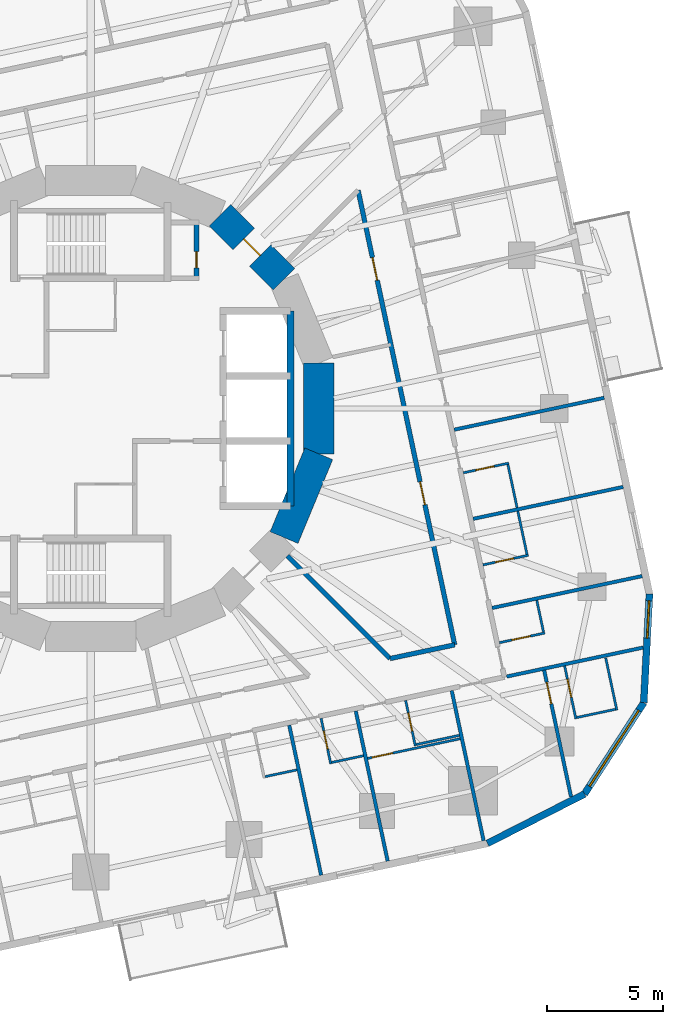
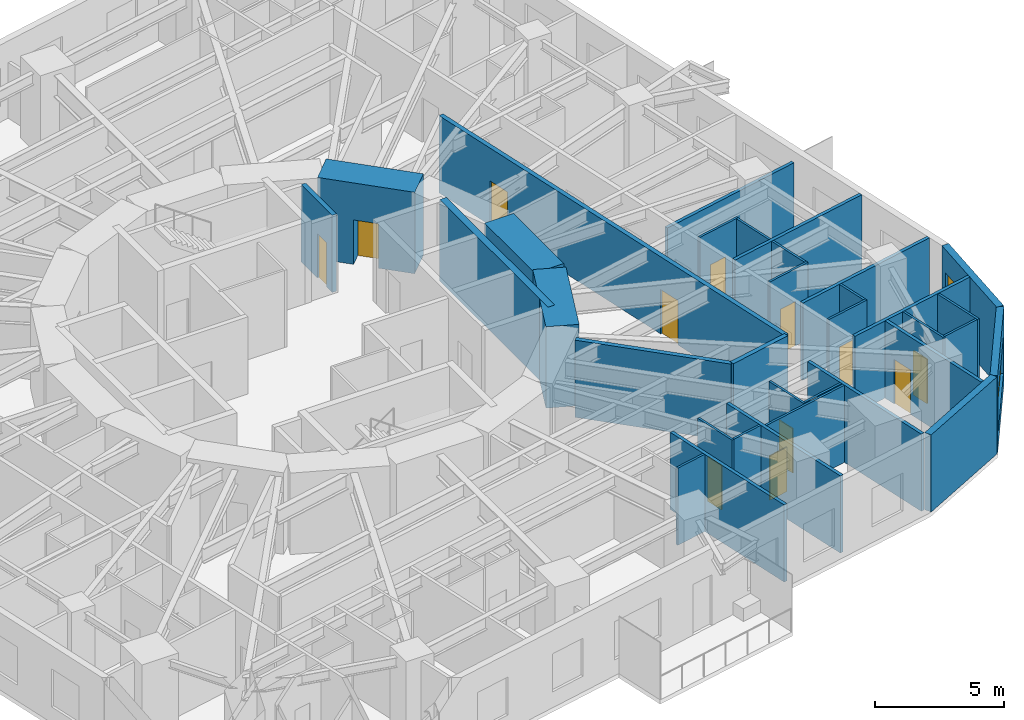
# One storey, part 8 of 14: 34 walls, 12 doors, 2 windows, 14 openings.
"""IFC4 building model written with IfcOpenShell, lengths in metres."""

from ifc_helpers import new_model, si_unit, direction, frame, frame_2d, origin, place, context, subcontext, project, spatial, rectangle, extrude, material, layer, layer_set, type_object, element, fill, save


model = new_model("IFC4")

# Units and contexts
model_context = context("Model", 3, precision=1e-05, world=origin(), true_north=direction((0.0, 1.0)))
body_context = subcontext(model_context, "Body", "Model", "MODEL_VIEW")
ifc_project = project(units=[si_unit("LENGTHUNIT", "METRE"), si_unit("AREAUNIT", "SQUARE_METRE"), si_unit("VOLUMEUNIT", "CUBIC_METRE"), si_unit("PLANEANGLEUNIT", "RADIAN"), si_unit("MASSUNIT", "GRAM", prefix="KILO")], contexts=[model_context])

# Site, building, storey
site_placement = place(None, origin())
site = spatial("IfcSite", under=ifc_project, at=site_placement, CompositionType="ELEMENT")
building_placement = place(site_placement, origin())
building = spatial("IfcBuilding", under=site, at=building_placement, Name="Nakasero Lantern House", CompositionType="ELEMENT")
storey_placement = place(building_placement, frame((0.0, 0.0, 124.25)))
storey = spatial("IfcBuildingStorey", under=building, at=storey_placement, Name="L30", CompositionType="ELEMENT", Elevation=124.25)

# Wall
ifc_material_1 = material(Name="Concrete C50/60", Category="concrete")
ifc_layer_1 = layer(ifc_material_1, 0.300048828125)
ifc_layer_set_1 = layer_set([ifc_layer_1], Name="Core inner wall 300")
wall_type_1 = type_object("IfcWallType", Name="Core inner wall 300", PredefinedType="SHEAR", material=ifc_layer_set_1)
wall_1_placement = place(storey_placement, frame((8.60009765625, -4.199951171875, 0.0), z_axis=(0.0, 0.0, 1.0), x_axis=(0.0, 1.0, 0.0)))
element("IfcWall", 1, at=wall_1_placement, inside=storey, type_object=wall_type_1, Name="Core inner wall L30 LEB", PredefinedType="SHEAR", context=body_context, shape_type="SweptSolid", body=[
    extrude(rectangle(XDim=8.39990234375, YDim=0.300048828125, at=frame_2d((4.199951171875, 0.0))), origin(), (0.0, 0.0, 1.0), 3.85009765625),
])

# Wall, opening, door
ifc_material_2 = material(Name="Concrete C50/60", Category="concrete")
ifc_layer_2 = layer(ifc_material_2, 1.300048828125)
ifc_layer_set_2 = layer_set([ifc_layer_2], Name="Core wall 1300")
wall_type_2 = type_object("IfcWallType", Name="Core wall 1300", PredefinedType="SHEAR", material=ifc_layer_set_2)
wall_2_placement = place(storey_placement, frame((8.314697265625, 5.5556640625, 0.0), z_axis=(0.0, 0.0, 1.0), x_axis=(-0.707106781187, 0.707106781187, 0.0)))
wall_2 = element("IfcWall", 2, at=wall_2_placement, inside=storey, type_object=wall_type_2, Name="Core wall L30 facet 2", PredefinedType="SHEAR", context=body_context, shape_type="SweptSolid", body=[
    extrude(rectangle(XDim=3.90185546875, YDim=1.300048828125, at=frame_2d((1.950927734375, 0.0))), origin(), (0.0, 0.0, 1.0), 3.85009765625),
])
opening_1_placement = place(wall_2_placement, frame((1.450927734375, 0.0, 0.0)))
opening_1 = element("IfcOpeningElement", 3, at=opening_1_placement, cuts=wall_2, Name="Opening D05", PredefinedType="OPENING", context=body_context, shape_type="SweptSolid", body=[
    extrude(rectangle(XDim=1.0, YDim=2.10009765625, at=frame_2d((0.5, 1.050048828125))), frame((0.0, 0.669921875, 0.0), z_axis=(0.0, -1.0, 0.0), x_axis=(1.0, 0.0, 0.0)), (0.0, 0.0, 1.0), 1.340087890625),
])
ifc_material_3 = material(Name="Timber C24", Category="wood")
door_type_1 = type_object("IfcDoorType", Name="Core door FD60S 1000", OperationType="SINGLE_SWING_LEFT", PredefinedType="DOOR", material=ifc_material_3)
door_1_placement = place(opening_1_placement, origin())
door_1 = element("IfcDoor", 4, at=door_1_placement, inside=storey, type_object=door_type_1, Name="Door L30 D-CORE02", OperationType="SINGLE_SWING_LEFT", OverallHeight=2.10009765625, OverallWidth=1.0, PredefinedType="DOOR", context=body_context, shape_type="SweptSolid", body=[
    extrude(rectangle(XDim=1.0, YDim=2.10009765625, at=frame_2d((0.5, 1.050048828125))), frame((0.0, 0.02490234375, 0.0), z_axis=(0.0, -1.0, 0.0), x_axis=(1.0, 0.0, 0.0)), (0.0, 0.0, 1.0), 0.050048828125),
])
fill(opening_1, door_1)

# Walls
for number, where, z_axis, x_axis, name in (
    (5, (8.314697265625, -5.5556640625, 0.0), (0.0, 0.0, 1.0), (0.382690736062, 0.923876507187, 0.0), "Core wall L30 facet 15"),
    (6, (9.807861328125, -1.950927734375, 0.0), (0.0, 0.0, 1.0), (0.0, 1.0, 0.0), "Core wall L30 facet 16"),
):
    element("IfcWall", number, at=place(storey_placement, frame(where, z_axis=z_axis, x_axis=x_axis)), inside=storey, type_object=wall_type_2, Name=name, PredefinedType="SHEAR", context=body_context, shape_type="SweptSolid", body=[
        extrude(rectangle(XDim=3.90185546875, YDim=1.300048828125, at=frame_2d((1.950927734375, 0.0))), origin(), (0.0, 0.0, 1.0), 3.85009765625),
    ])

# Wall, openings, doors
ifc_material_4 = material(Name="Blockwork", Category="masonry")
ifc_layer_3 = layer(ifc_material_4, 0.199951171875)
ifc_layer_set_3 = layer_set([ifc_layer_3], Name="Corridor wall 200")
wall_type_3 = type_object("IfcWallType", Name="Corridor wall 200", PredefinedType="PARTITIONING", material=ifc_layer_set_3)
wall_3_placement = place(storey_placement, frame((15.656005859375, -10.1669921875, 0.0), z_axis=(0.0, 0.0, 1.0), x_axis=(-0.20791018816, 0.978147920132, 0.0)))
wall_3 = element("IfcWall", 7, at=wall_3_placement, inside=storey, type_object=wall_type_3, Name="Corridor wall L30 IW0-0", PredefinedType="PARTITIONING", context=body_context, shape_type="SweptSolid", body=[
    extrude(rectangle(XDim=19.983642578125, YDim=0.199951171875, at=frame_2d((9.99169921875, 0.0))), origin(), (0.0, 0.0, 1.0), 3.64990234375),
])
opening_2_placement = place(wall_3_placement, frame((6.162353515625, 0.0, 0.0)))
opening_2 = element("IfcOpeningElement", 8, at=opening_2_placement, cuts=wall_3, Name="Opening D07", PredefinedType="OPENING", context=body_context, shape_type="SweptSolid", body=[
    extrude(rectangle(XDim=1.0, YDim=2.10009765625, at=frame_2d((0.5, 1.050048828125))), frame((0.0, 0.119873046875, 0.0), z_axis=(0.0, -1.0, 0.0), x_axis=(1.0, 0.0, 0.0)), (0.0, 0.0, 1.0), 0.239990234375),
])
opening_3_placement = place(wall_3_placement, frame((16.029296875, 0.0, 0.0)))
opening_3 = element("IfcOpeningElement", 9, at=opening_3_placement, cuts=wall_3, Name="Opening D07", PredefinedType="OPENING", context=body_context, shape_type="SweptSolid", body=[
    extrude(rectangle(XDim=1.0, YDim=2.10009765625, at=frame_2d((0.5, 1.050048828125))), frame((0.0, 0.119873046875, 0.0), z_axis=(0.0, -1.0, 0.0), x_axis=(1.0, 0.0, 0.0)), (0.0, 0.0, 1.0), 0.239990234375),
])
ifc_material_5 = material(Name="Timber C24", Category="wood")
door_type_2 = type_object("IfcDoorType", Name="Room door FD30S 1000", OperationType="SINGLE_SWING_LEFT", PredefinedType="DOOR", material=ifc_material_5)
door_2_placement = place(opening_2_placement, origin())
door_2 = element("IfcDoor", 10, at=door_2_placement, inside=storey, type_object=door_type_2, Name="Door L30 DI3", OperationType="SINGLE_SWING_LEFT", OverallHeight=2.10009765625, OverallWidth=1.0, PredefinedType="DOOR", context=body_context, shape_type="SweptSolid", body=[
    extrude(rectangle(XDim=1.0, YDim=2.10009765625, at=frame_2d((0.5, 1.050048828125))), frame((0.0, 0.02490234375, 0.0), z_axis=(0.0, -1.0, 0.0), x_axis=(1.0, 0.0, 0.0)), (0.0, 0.0, 1.0), 0.050048828125),
])
fill(opening_2, door_2)
door_3_placement = place(opening_3_placement, origin())
door_3 = element("IfcDoor", 11, at=door_3_placement, inside=storey, type_object=door_type_2, Name="Door L30 DI4", OperationType="SINGLE_SWING_RIGHT", OverallHeight=2.10009765625, OverallWidth=1.0, PredefinedType="DOOR", context=body_context, shape_type="SweptSolid", body=[
    extrude(rectangle(XDim=1.0, YDim=2.10009765625, at=frame_2d((0.5, 1.050048828125))), frame((0.0, 0.02490234375, 0.0), z_axis=(0.0, -1.0, 0.0), x_axis=(1.0, 0.0, 0.0)), (0.0, 0.0, 1.0), 0.050048828125),
])
fill(opening_3, door_3)

# Walls
wall_4_placement = place(storey_placement, frame((12.878662109375, -10.75732421875, 0.0), z_axis=(0.0, 0.0, 1.0), x_axis=(0.97814836043, 0.207908116695, 0.0)))
element("IfcWall", 12, at=wall_4_placement, inside=storey, type_object=wall_type_3, Name="Corridor wall L30 IW3-1", PredefinedType="PARTITIONING", context=body_context, shape_type="SweptSolid", body=[
    extrude(rectangle(XDim=2.83935546875, YDim=0.199951171875, at=frame_2d((1.419677734375, 0.0))), origin(), (0.0, 0.0, 1.0), 3.64990234375),
])
wall_5_placement = place(storey_placement, frame((8.45556640625, -6.334228515625, 0.0), z_axis=(0.0, 0.0, 1.0), x_axis=(0.707106781187, -0.707106781187, 0.0)))
element("IfcWall", 13, at=wall_5_placement, inside=storey, type_object=wall_type_3, Name="Corridor wall L30 PS14a", PredefinedType="PARTITIONING", context=body_context, shape_type="SweptSolid", body=[
    extrude(rectangle(XDim=6.255126953125, YDim=0.199951171875, at=frame_2d((3.12744140625, 0.0))), origin(), (0.0, 0.0, 1.0), 3.64990234375),
])

# Wall, opening, door
ifc_material_6 = material(Name="Blockwork", Category="masonry")
ifc_layer_4 = layer(ifc_material_6, 0.10009765625)
ifc_layer_set_4 = layer_set([ifc_layer_4], Name="En-suite wall 100")
wall_type_4 = type_object("IfcWallType", Name="En-suite wall 100", PredefinedType="PARTITIONING", material=ifc_layer_set_4)
wall_6_placement = place(storey_placement, frame((17.57861328125, -10.07421875, 0.0), z_axis=(0.0, 0.0, 1.0), x_axis=(0.978152955943, 0.207886494942, 0.0)))
wall_6 = element("IfcWall", 14, at=wall_6_placement, inside=storey, type_object=wall_type_4, Name="En-suite wall L30 ES0-00", PredefinedType="PARTITIONING", context=body_context, shape_type="SweptSolid", body=[
    extrude(rectangle(XDim=2.0, YDim=0.10009765625, at=frame_2d((1.0, 0.0))), origin(), (0.0, 0.0, 1.0), 3.64990234375),
])
opening_4_placement = place(wall_6_placement, frame((0.550048828125, 0.0, 0.0)))
opening_4 = element("IfcOpeningElement", 15, at=opening_4_placement, cuts=wall_6, Name="Opening D02", PredefinedType="OPENING", context=body_context, shape_type="SweptSolid", body=[
    extrude(rectangle(XDim=0.800048828125, YDim=2.10009765625, at=frame_2d((0.39990234375, 1.050048828125))), frame((0.0, 0.070068359375, 0.0), z_axis=(0.0, -1.0, 0.0), x_axis=(1.0, 0.0, 0.0)), (0.0, 0.0, 1.0), 0.14013671875),
])
ifc_material_7 = material(Name="Timber C24", Category="wood")
door_type_3 = type_object("IfcDoorType", Name="En-suite door 800", OperationType="SINGLE_SWING_RIGHT", PredefinedType="DOOR", material=ifc_material_7)
door_4_placement = place(opening_4_placement, origin())
door_4 = element("IfcDoor", 16, at=door_4_placement, inside=storey, type_object=door_type_3, Name="Door L30 DE0-00", OperationType="SINGLE_SWING_LEFT", OverallHeight=2.10009765625, OverallWidth=0.800048828125, PredefinedType="DOOR", context=body_context, shape_type="SweptSolid", body=[
    extrude(rectangle(XDim=0.800048828125, YDim=2.10009765625, at=frame_2d((0.39990234375, 1.050048828125))), frame((0.0, 0.02490234375, 0.0), z_axis=(0.0, -1.0, 0.0), x_axis=(1.0, 0.0, 0.0)), (0.0, 0.0, 1.0), 0.050048828125),
])
fill(opening_4, door_4)

# Wall
wall_7_placement = place(storey_placement, frame((19.4755859375, -9.619873046875, 0.0), z_axis=(0.0, 0.0, 1.0), x_axis=(-0.207873355681, 0.978155748334, 0.0)))
element("IfcWall", 17, at=wall_7_placement, inside=storey, type_object=wall_type_4, Name="En-suite wall L30 EE0-00", PredefinedType="PARTITIONING", context=body_context, shape_type="SweptSolid", body=[
    extrude(rectangle(XDim=1.39990234375, YDim=0.10009765625, at=frame_2d((0.699951171875, 0.0))), origin(), (0.0, 0.0, 1.0), 3.64990234375),
])

# Wall, opening, door
wall_8_placement = place(storey_placement, frame((16.86767578125, -6.7294921875, 0.0), z_axis=(0.0, 0.0, 1.0), x_axis=(0.978128127149, 0.208003285743, 0.0)))
wall_8 = element("IfcWall", 18, at=wall_8_placement, inside=storey, type_object=wall_type_4, Name="En-suite wall L30 ES0-01", PredefinedType="PARTITIONING", context=body_context, shape_type="SweptSolid", body=[
    extrude(rectangle(XDim=2.0, YDim=0.10009765625, at=frame_2d((1.0, 0.0))), origin(), (0.0, 0.0, 1.0), 3.64990234375),
])
opening_5_placement = place(wall_8_placement, frame((0.550048828125, 0.0, 0.0)))
opening_5 = element("IfcOpeningElement", 19, at=opening_5_placement, cuts=wall_8, Name="Opening D02", PredefinedType="OPENING", context=body_context, shape_type="SweptSolid", body=[
    extrude(rectangle(XDim=0.800048828125, YDim=2.10009765625, at=frame_2d((0.39990234375, 1.050048828125))), frame((0.0, 0.070068359375, 0.0), z_axis=(0.0, -1.0, 0.0), x_axis=(1.0, 0.0, 0.0)), (0.0, 0.0, 1.0), 0.14013671875),
])
door_5_placement = place(opening_5_placement, origin())
door_5 = element("IfcDoor", 20, at=door_5_placement, inside=storey, type_object=door_type_3, Name="Door L30 DE0-01", OperationType="SINGLE_SWING_LEFT", OverallHeight=2.10009765625, OverallWidth=0.800048828125, PredefinedType="DOOR", context=body_context, shape_type="SweptSolid", body=[
    extrude(rectangle(XDim=0.800048828125, YDim=2.10009765625, at=frame_2d((0.39990234375, 1.050048828125))), frame((0.0, 0.02490234375, 0.0), z_axis=(0.0, -1.0, 0.0), x_axis=(1.0, 0.0, 0.0)), (0.0, 0.0, 1.0), 0.050048828125),
])
fill(opening_5, door_5)

# Wall
wall_9_placement = place(storey_placement, frame((18.7646484375, -6.275146484375, 0.0), z_axis=(0.0, 0.0, 1.0), x_axis=(-0.207887952389, 0.978152646192, 0.0)))
element("IfcWall", 21, at=wall_9_placement, inside=storey, type_object=wall_type_4, Name="En-suite wall L30 EE0-01", PredefinedType="PARTITIONING", context=body_context, shape_type="SweptSolid", body=[
    extrude(rectangle(XDim=1.900146484375, YDim=0.10009765625, at=frame_2d((0.9501953125, 0.0))), origin(), (0.0, 0.0, 1.0), 3.64990234375),
])

# Wall, opening, door
wall_10_placement = place(storey_placement, frame((16.025634765625, -2.767822265625, 0.0), z_axis=(0.0, 0.0, 1.0), x_axis=(0.978152955943, 0.207886494942, 0.0)))
wall_10 = element("IfcWall", 22, at=wall_10_placement, inside=storey, type_object=wall_type_4, Name="En-suite wall L30 ES0-02", PredefinedType="PARTITIONING", context=body_context, shape_type="SweptSolid", body=[
    extrude(rectangle(XDim=2.0, YDim=0.10009765625, at=frame_2d((1.0, 0.0))), origin(), (0.0, 0.0, 1.0), 3.64990234375),
])
opening_6_placement = place(wall_10_placement, frame((0.550048828125, 0.0, 0.0)))
opening_6 = element("IfcOpeningElement", 23, at=opening_6_placement, cuts=wall_10, Name="Opening D02", PredefinedType="OPENING", context=body_context, shape_type="SweptSolid", body=[
    extrude(rectangle(XDim=0.800048828125, YDim=2.10009765625, at=frame_2d((0.39990234375, 1.050048828125))), frame((0.0, 0.070068359375, 0.0), z_axis=(0.0, -1.0, 0.0), x_axis=(1.0, 0.0, 0.0)), (0.0, 0.0, 1.0), 0.14013671875),
])
door_6_placement = place(opening_6_placement, origin())
door_6 = element("IfcDoor", 24, at=door_6_placement, inside=storey, type_object=door_type_3, Name="Door L30 DE0-02", OperationType="SINGLE_SWING_LEFT", OverallHeight=2.10009765625, OverallWidth=0.800048828125, PredefinedType="DOOR", context=body_context, shape_type="SweptSolid", body=[
    extrude(rectangle(XDim=0.800048828125, YDim=2.10009765625, at=frame_2d((0.39990234375, 1.050048828125))), frame((0.0, 0.02490234375, 0.0), z_axis=(0.0, -1.0, 0.0), x_axis=(1.0, 0.0, 0.0)), (0.0, 0.0, 1.0), 0.050048828125),
])
fill(opening_6, door_6)

# Walls
wall_11_placement = place(storey_placement, frame((18.33837890625, -4.269775390625, 0.0), z_axis=(0.0, 0.0, 1.0), x_axis=(-0.207914082431, 0.978147092378, 0.0)))
element("IfcWall", 25, at=wall_11_placement, inside=storey, type_object=wall_type_4, Name="En-suite wall L30 EE0-02", PredefinedType="PARTITIONING", context=body_context, shape_type="SweptSolid", body=[
    extrude(rectangle(XDim=1.89990234375, YDim=0.10009765625, at=frame_2d((0.949951171875, 0.0))), origin(), (0.0, 0.0, 1.0), 3.64990234375),
])
wall_12_placement = place(storey_placement, frame((7.50048828125, -15.836669921875, 0.0), z_axis=(0.0, 0.0, 1.0), x_axis=(0.978155748334, 0.207873355681, 0.0)))
element("IfcWall", 26, at=wall_12_placement, inside=storey, type_object=wall_type_4, Name="En-suite wall L30 EE3-05", PredefinedType="PARTITIONING", context=body_context, shape_type="SweptSolid", body=[
    extrude(rectangle(XDim=1.39990234375, YDim=0.10009765625, at=frame_2d((0.699951171875, 0.0))), origin(), (0.0, 0.0, 1.0), 3.64990234375),
])

# Wall, opening, door
wall_13_placement = place(storey_placement, frame((9.908447265625, -13.331298828125, 0.0), z_axis=(0.0, 0.0, 1.0), x_axis=(0.208003285743, -0.978128127149, 0.0)))
wall_13 = element("IfcWall", 27, at=wall_13_placement, inside=storey, type_object=wall_type_4, Name="En-suite wall L30 ES3-06", PredefinedType="PARTITIONING", context=body_context, shape_type="SweptSolid", body=[
    extrude(rectangle(XDim=2.0, YDim=0.10009765625, at=frame_2d((1.0, 0.0))), origin(), (0.0, 0.0, 1.0), 3.64990234375),
])
opening_7_placement = place(wall_13_placement, frame((0.550048828125, 0.0, 0.0)))
opening_7 = element("IfcOpeningElement", 28, at=opening_7_placement, cuts=wall_13, Name="Opening D02", PredefinedType="OPENING", context=body_context, shape_type="SweptSolid", body=[
    extrude(rectangle(XDim=0.800048828125, YDim=2.10009765625, at=frame_2d((0.39990234375, 1.050048828125))), frame((0.0, 0.070068359375, 0.0), z_axis=(0.0, -1.0, 0.0), x_axis=(1.0, 0.0, 0.0)), (0.0, 0.0, 1.0), 0.14013671875),
])
door_7_placement = place(opening_7_placement, origin())
door_7 = element("IfcDoor", 29, at=door_7_placement, inside=storey, type_object=door_type_3, Name="Door L30 DE3-06", OperationType="SINGLE_SWING_LEFT", OverallHeight=2.10009765625, OverallWidth=0.800048828125, PredefinedType="DOOR", context=body_context, shape_type="SweptSolid", body=[
    extrude(rectangle(XDim=0.800048828125, YDim=2.10009765625, at=frame_2d((0.39990234375, 1.050048828125))), frame((0.0, 0.02490234375, 0.0), z_axis=(0.0, -1.0, 0.0), x_axis=(1.0, 0.0, 0.0)), (0.0, 0.0, 1.0), 0.050048828125),
])
fill(opening_7, door_7)

# Wall
wall_14_placement = place(storey_placement, frame((10.36279296875, -15.228271484375, 0.0), z_axis=(0.0, 0.0, 1.0), x_axis=(0.978155748334, 0.207873355681, 0.0)))
element("IfcWall", 30, at=wall_14_placement, inside=storey, type_object=wall_type_4, Name="En-suite wall L30 EE3-06", PredefinedType="PARTITIONING", context=body_context, shape_type="SweptSolid", body=[
    extrude(rectangle(XDim=1.39990234375, YDim=0.10009765625, at=frame_2d((0.699951171875, 0.0))), origin(), (0.0, 0.0, 1.0), 3.64990234375),
])

# Wall, opening, door
wall_15_placement = place(storey_placement, frame((13.54541015625, -12.55810546875, 0.0), z_axis=(0.0, 0.0, 1.0), x_axis=(0.207886494942, -0.978152955943, 0.0)))
wall_15 = element("IfcWall", 31, at=wall_15_placement, inside=storey, type_object=wall_type_4, Name="En-suite wall L30 ES3-07", PredefinedType="PARTITIONING", context=body_context, shape_type="SweptSolid", body=[
    extrude(rectangle(XDim=2.0, YDim=0.10009765625, at=frame_2d((1.0, 0.0))), origin(), (0.0, 0.0, 1.0), 3.64990234375),
])
opening_8_placement = place(wall_15_placement, frame((0.550048828125, 0.0, 0.0)))
opening_8 = element("IfcOpeningElement", 32, at=opening_8_placement, cuts=wall_15, Name="Opening D02", PredefinedType="OPENING", context=body_context, shape_type="SweptSolid", body=[
    extrude(rectangle(XDim=0.800048828125, YDim=2.10009765625, at=frame_2d((0.39990234375, 1.050048828125))), frame((0.0, 0.070068359375, 0.0), z_axis=(0.0, -1.0, 0.0), x_axis=(1.0, 0.0, 0.0)), (0.0, 0.0, 1.0), 0.14013671875),
])
door_8_placement = place(opening_8_placement, origin())
door_8 = element("IfcDoor", 33, at=door_8_placement, inside=storey, type_object=door_type_3, Name="Door L30 DE3-07", OperationType="SINGLE_SWING_LEFT", OverallHeight=2.10009765625, OverallWidth=0.800048828125, PredefinedType="DOOR", context=body_context, shape_type="SweptSolid", body=[
    extrude(rectangle(XDim=0.800048828125, YDim=2.10009765625, at=frame_2d((0.39990234375, 1.050048828125))), frame((0.0, 0.02490234375, 0.0), z_axis=(0.0, -1.0, 0.0), x_axis=(1.0, 0.0, 0.0)), (0.0, 0.0, 1.0), 0.050048828125),
])
fill(opening_8, door_8)

# Wall
wall_16_placement = place(storey_placement, frame((13.999755859375, -14.455078125, 0.0), z_axis=(0.0, 0.0, 1.0), x_axis=(0.978147092378, 0.207914082431, 0.0)))
element("IfcWall", 34, at=wall_16_placement, inside=storey, type_object=wall_type_4, Name="En-suite wall L30 EE3-07", PredefinedType="PARTITIONING", context=body_context, shape_type="SweptSolid", body=[
    extrude(rectangle(XDim=1.89990234375, YDim=0.10009765625, at=frame_2d((0.949951171875, 0.0))), origin(), (0.0, 0.0, 1.0), 3.64990234375),
])

# Wall, opening, door
wall_17_placement = place(storey_placement, frame((20.382568359375, -11.069091796875, 0.0), z_axis=(0.0, 0.0, 1.0), x_axis=(0.207965047255, -0.978136257952, 0.0)))
wall_17 = element("IfcWall", 35, at=wall_17_placement, inside=storey, type_object=wall_type_4, Name="En-suite wall L30 ES3-08", PredefinedType="PARTITIONING", context=body_context, shape_type="SweptSolid", body=[
    extrude(rectangle(XDim=2.3349609375, YDim=0.10009765625, at=frame_2d((1.16748046875, 0.0))), origin(), (0.0, 0.0, 1.0), 3.64990234375),
])
opening_9_placement = place(wall_17_placement, frame((0.5849609375, 0.0, 0.0)))
opening_9 = element("IfcOpeningElement", 36, at=opening_9_placement, cuts=wall_17, Name="Opening D02", PredefinedType="OPENING", context=body_context, shape_type="SweptSolid", body=[
    extrude(rectangle(XDim=0.800048828125, YDim=2.10009765625, at=frame_2d((0.39990234375, 1.050048828125))), frame((0.0, 0.070068359375, 0.0), z_axis=(0.0, -1.0, 0.0), x_axis=(1.0, 0.0, 0.0)), (0.0, 0.0, 1.0), 0.14013671875),
])
door_9_placement = place(opening_9_placement, origin())
door_9 = element("IfcDoor", 37, at=door_9_placement, inside=storey, type_object=door_type_3, Name="Door L30 DE3-08", OperationType="SINGLE_SWING_LEFT", OverallHeight=2.10009765625, OverallWidth=0.800048828125, PredefinedType="DOOR", context=body_context, shape_type="SweptSolid", body=[
    extrude(rectangle(XDim=0.800048828125, YDim=2.10009765625, at=frame_2d((0.39990234375, 1.050048828125))), frame((0.0, 0.02490234375, 0.0), z_axis=(0.0, -1.0, 0.0), x_axis=(1.0, 0.0, 0.0)), (0.0, 0.0, 1.0), 0.050048828125),
])
fill(opening_9, door_9)

# Walls
wall_18_placement = place(storey_placement, frame((20.906494140625, -13.293701171875, 0.0), z_axis=(0.0, 0.0, 1.0), x_axis=(0.978168704767, 0.207812379357, 0.0)))
element("IfcWall", 38, at=wall_18_placement, inside=storey, type_object=wall_type_4, Name="En-suite wall L30 EE3-08", PredefinedType="PARTITIONING", context=body_context, shape_type="SweptSolid", body=[
    extrude(rectangle(XDim=1.699951171875, YDim=0.10009765625, at=frame_2d((0.85009765625, 0.0))), origin(), (0.0, 0.0, 1.0), 3.64990234375),
])
wall_19_placement = place(storey_placement, frame((22.150634765625, -10.72900390625, 0.0), z_axis=(0.0, 0.0, 1.0), x_axis=(0.207839712757, -0.978162897375, 0.0)))
element("IfcWall", 39, at=wall_19_placement, inside=storey, type_object=wall_type_4, Name="En-suite wall L30 EV3-08", PredefinedType="PARTITIONING", context=body_context, shape_type="SweptSolid", body=[
    extrude(rectangle(XDim=2.300048828125, YDim=0.10009765625, at=frame_2d((1.14990234375, 0.0))), origin(), (0.0, 0.0, 1.0), 3.64990234375),
])

# Wall, opening, door
wall_20_placement = place(storey_placement, frame((11.91015625, -15.052734375, 0.0), z_axis=(0.0, 0.0, 1.0), x_axis=(0.978141002414, 0.207942731049, 0.0)))
wall_20 = element("IfcWall", 40, at=wall_20_placement, inside=storey, type_object=wall_type_4, Name="En-suite wall L30 EL3-07", PredefinedType="PARTITIONING", context=body_context, shape_type="SweptSolid", body=[
    extrude(rectangle(XDim=4.068115234375, YDim=0.10009765625, at=frame_2d((2.0341796875, 0.0))), origin(), (0.0, 0.0, 1.0), 3.64990234375),
])
opening_10_placement = place(wall_20_placement, frame((0.199951171875, 0.0, 0.0)))
opening_10 = element("IfcOpeningElement", 41, at=opening_10_placement, cuts=wall_20, Name="Opening D17", PredefinedType="OPENING", context=body_context, shape_type="SweptSolid", body=[
    extrude(rectangle(XDim=0.89990234375, YDim=2.10009765625, at=frame_2d((0.449951171875, 1.050048828125))), frame((0.0, 0.070068359375, 0.0), z_axis=(0.0, -1.0, 0.0), x_axis=(1.0, 0.0, 0.0)), (0.0, 0.0, 1.0), 0.14013671875),
])
ifc_material_8 = material(Name="Timber C24", Category="wood")
door_type_4 = type_object("IfcDoorType", Name="Bedroom door FD30S 900", OperationType="SINGLE_SWING_LEFT", PredefinedType="DOOR", material=ifc_material_8)
door_10_placement = place(opening_10_placement, origin())
door_10 = element("IfcDoor", 42, at=door_10_placement, inside=storey, type_object=door_type_4, Name="Door L30 DL3-07", OperationType="SINGLE_SWING_LEFT", OverallHeight=2.10009765625, OverallWidth=0.89990234375, PredefinedType="DOOR", context=body_context, shape_type="SweptSolid", body=[
    extrude(rectangle(XDim=0.89990234375, YDim=2.10009765625, at=frame_2d((0.449951171875, 1.050048828125))), frame((0.0, 0.02490234375, 0.0), z_axis=(0.0, -1.0, 0.0), x_axis=(1.0, 0.0, 0.0)), (0.0, 0.0, 1.0), 0.050048828125),
])
fill(opening_10, door_10)

# Wall
ifc_material_9 = material(Name="Aluminium rainscreen on blockwork", Category="masonry")
ifc_layer_5 = layer(ifc_material_9, 0.300048828125)
ifc_layer_set_5 = layer_set([ifc_layer_5], Name="Facade wall 300")
wall_type_5 = type_object("IfcWallType", Name="Facade wall 300", PredefinedType="SOLIDWALL", material=ifc_layer_set_5)
wall_21_placement = place(storey_placement, frame((17.063232421875, -18.711181640625, 0.0), z_axis=(0.0, 0.0, 1.0), x_axis=(0.89101404178, 0.453975745332, 0.0)))
element("IfcWall", 43, at=wall_21_placement, inside=storey, type_object=wall_type_5, Name="Facade wall L30 FW3C1", PredefinedType="SOLIDWALL", context=body_context, shape_type="SweptSolid", body=[
    extrude(rectangle(XDim=4.6845703125, YDim=0.300048828125, at=frame_2d((2.34228515625, 0.0))), origin(), (0.0, 0.0, 1.0), 3.64990234375),
])

# Wall, opening, window
wall_22_placement = place(storey_placement, frame((21.2373046875, -16.58447265625, 0.0), z_axis=(0.0, 0.0, 1.0), x_axis=(0.544605442853, 0.838692381994, 0.0)))
wall_22 = element("IfcWall", 44, at=wall_22_placement, inside=storey, type_object=wall_type_5, Name="Facade wall L30 FW3C2", PredefinedType="SOLIDWALL", context=body_context, shape_type="SweptSolid", body=[
    extrude(rectangle(XDim=4.6845703125, YDim=0.300048828125, at=frame_2d((2.34228515625, 0.0))), origin(), (0.0, 0.0, 1.0), 3.64990234375),
])
opening_11_placement = place(wall_22_placement, frame((0.39990234375, 0.0, 0.75)))
opening_11 = element("IfcOpeningElement", 45, at=opening_11_placement, cuts=wall_22, Name="Opening W238", PredefinedType="OPENING", context=body_context, shape_type="SweptSolid", body=[
    extrude(rectangle(XDim=3.885009765625, YDim=1.800048828125, at=frame_2d((1.9423828125, 0.89990234375))), frame((0.0, 0.169921875, 0.0), z_axis=(0.0, -1.0, 0.0), x_axis=(1.0, 0.0, 0.0)), (0.0, 0.0, 1.0), 0.340087890625),
])
ifc_material_10 = material(Name="Aluminium 6063-T6 and glass", Category="aluminium")
window_type_1 = type_object("IfcWindowType", Name="Corner window 3885x1800", PartitioningType="SINGLE_PANEL", PredefinedType="WINDOW", material=ifc_material_10)
window_1_placement = place(opening_11_placement, origin())
window_1 = element("IfcWindow", 46, at=window_1_placement, inside=storey, type_object=window_type_1, Name="Window L30 WC3", OverallHeight=1.800048828125, OverallWidth=3.885009765625, PartitioningType="SINGLE_PANEL", PredefinedType="WINDOW", context=body_context, shape_type="SweptSolid", body=[
    extrude(rectangle(XDim=3.885009765625, YDim=1.800048828125, at=frame_2d((1.9423828125, 0.89990234375))), frame((0.0, 0.030029296875, 0.0), z_axis=(0.0, -1.0, 0.0), x_axis=(1.0, 0.0, 0.0)), (0.0, 0.0, 1.0), 0.06005859375),
])
fill(opening_11, window_1)

wall_23_placement = place(storey_placement, frame((23.78857421875, -12.655517578125, 0.0), z_axis=(0.0, 0.0, 1.0), x_axis=(0.052326317, 0.998630039879, 0.0)))
wall_23 = element("IfcWall", 47, at=wall_23_placement, inside=storey, type_object=wall_type_5, Name="Facade wall L30 FW3C3", PredefinedType="SOLIDWALL", context=body_context, shape_type="SweptSolid", body=[
    extrude(rectangle(XDim=4.684326171875, YDim=0.300048828125, at=frame_2d((2.34228515625, 0.0))), origin(), (0.0, 0.0, 1.0), 3.64990234375),
])
opening_12_placement = place(wall_23_placement, frame((2.784912109375, 0.0, 0.75)))
opening_12 = element("IfcOpeningElement", 48, at=opening_12_placement, cuts=wall_23, Name="Opening W01", PredefinedType="OPENING", context=body_context, shape_type="SweptSolid", body=[
    extrude(rectangle(XDim=1.60009765625, YDim=1.800048828125, at=frame_2d((0.800048828125, 0.89990234375))), frame((0.0, 0.169921875, 0.0), z_axis=(0.0, -1.0, 0.0), x_axis=(1.0, 0.0, 0.0)), (0.0, 0.0, 1.0), 0.340087890625),
])
ifc_material_11 = material(Name="Aluminium 6063-T6 and glass", Category="aluminium")
window_type_2 = type_object("IfcWindowType", Name="Bedroom window 1600x1800", PartitioningType="SINGLE_PANEL", PredefinedType="WINDOW", material=ifc_material_11)
window_2_placement = place(opening_12_placement, origin())
window_2 = element("IfcWindow", 49, at=window_2_placement, inside=storey, type_object=window_type_2, Name="Window L30 WN0-00", OverallHeight=1.800048828125, OverallWidth=1.60009765625, PartitioningType="SINGLE_PANEL", PredefinedType="WINDOW", context=body_context, shape_type="SweptSolid", body=[
    extrude(rectangle(XDim=1.60009765625, YDim=1.800048828125, at=frame_2d((0.800048828125, 0.89990234375))), frame((0.0, 0.030029296875, 0.0), z_axis=(0.0, -1.0, 0.0), x_axis=(1.0, 0.0, 0.0)), (0.0, 0.0, 1.0), 0.06005859375),
])
fill(opening_12, window_2)

# Wall, opening, door
ifc_material_12 = material(Name="Blockwork", Category="masonry")
ifc_layer_6 = layer(ifc_material_12, 0.199951171875)
ifc_layer_set_6 = layer_set([ifc_layer_6], Name="Fire lobby wall 200")
wall_type_6 = type_object("IfcWallType", Name="Fire lobby wall 200", PredefinedType="PARTITIONING", material=ifc_layer_set_6)
wall_24_placement = place(storey_placement, frame((4.550048828125, 5.60009765625, 0.0), z_axis=(0.0, 0.0, 1.0), x_axis=(0.0, 1.0, 0.0)))
wall_24 = element("IfcWall", 50, at=wall_24_placement, inside=storey, type_object=wall_type_6, Name="Fire lobby wall L30 W-RS1E", PredefinedType="PARTITIONING", context=body_context, shape_type="SweptSolid", body=[
    extrude(rectangle(XDim=2.39990234375, YDim=0.199951171875, at=frame_2d((1.199951171875, 0.0))), origin(), (0.0, 0.0, 1.0), 3.64990234375),
])
opening_13_placement = place(wall_24_placement, frame((0.449951171875, 0.0, 0.0)))
opening_13 = element("IfcOpeningElement", 51, at=opening_13_placement, cuts=wall_24, Name="Opening D06", PredefinedType="OPENING", context=body_context, shape_type="SweptSolid", body=[
    extrude(rectangle(XDim=0.699951171875, YDim=2.10009765625, at=frame_2d((0.35009765625, 1.050048828125))), frame((0.0, 0.119873046875, 0.0), z_axis=(0.0, -1.0, 0.0), x_axis=(1.0, 0.0, 0.0)), (0.0, 0.0, 1.0), 0.239990234375),
])
ifc_material_13 = material(Name="Steel S355", Category="steel")
door_type_5 = type_object("IfcDoorType", Name="Riser door FD60 700", OperationType="SINGLE_SWING_LEFT", PredefinedType="DOOR", material=ifc_material_13)
door_11_placement = place(opening_13_placement, origin())
door_11 = element("IfcDoor", 52, at=door_11_placement, inside=storey, type_object=door_type_5, Name="Door L30 D-RS1", OperationType="SINGLE_SWING_LEFT", OverallHeight=2.10009765625, OverallWidth=0.699951171875, PredefinedType="DOOR", context=body_context, shape_type="SweptSolid", body=[
    extrude(rectangle(XDim=0.699951171875, YDim=2.10009765625, at=frame_2d((0.35009765625, 1.050048828125))), frame((0.0, 0.02490234375, 0.0), z_axis=(0.0, -1.0, 0.0), x_axis=(1.0, 0.0, 0.0)), (0.0, 0.0, 1.0), 0.050048828125),
])
fill(opening_13, door_11)

# Walls
ifc_material_14 = material(Name="Blockwork", Category="masonry")
ifc_layer_7 = layer(ifc_material_14, 0.14990234375)
ifc_layer_set_7 = layer_set([ifc_layer_7], Name="Party wall 150")
wall_type_7 = type_object("IfcWallType", Name="Party wall 150", PredefinedType="PARTITIONING", material=ifc_layer_set_7)
wall_25_placement = place(storey_placement, frame((17.888671875, -11.53271484375, 0.0), z_axis=(0.0, 0.0, 1.0), x_axis=(0.978152955943, 0.207886494942, 0.0)))
element("IfcWall", 53, at=wall_25_placement, inside=storey, type_object=wall_type_7, Name="Party wall L30 PW0-00", PredefinedType="PARTITIONING", context=body_context, shape_type="SweptSolid", body=[
    extrude(rectangle(XDim=6.0, YDim=0.14990234375, at=frame_2d((3.0, 0.0))), origin(), (0.0, 0.0, 1.0), 3.64990234375),
])
wall_26_placement = place(storey_placement, frame((17.26171875, -8.58251953125, 0.0), z_axis=(0.0, 0.0, 1.0), x_axis=(0.978143241716, 0.207932197326, 0.0)))
element("IfcWall", 54, at=wall_26_placement, inside=storey, type_object=wall_type_7, Name="Party wall L30 PW0-01", PredefinedType="PARTITIONING", context=body_context, shape_type="SweptSolid", body=[
    extrude(rectangle(XDim=6.599853515625, YDim=0.14990234375, at=frame_2d((3.2998046875, 0.0))), origin(), (0.0, 0.0, 1.0), 3.64990234375),
])
wall_27_placement = place(storey_placement, frame((16.44677734375, -4.748779296875, 0.0), z_axis=(0.0, 0.0, 1.0), x_axis=(0.978144841009, 0.207924673876, 0.0)))
element("IfcWall", 55, at=wall_27_placement, inside=storey, type_object=wall_type_7, Name="Party wall L30 PW0-02", PredefinedType="PARTITIONING", context=body_context, shape_type="SweptSolid", body=[
    extrude(rectangle(XDim=6.60009765625, YDim=0.14990234375, at=frame_2d((3.300048828125, 0.0))), origin(), (0.0, 0.0, 1.0), 3.64990234375),
])
wall_28_placement = place(storey_placement, frame((15.6318359375, -0.914794921875, 0.0), z_axis=(0.0, 0.0, 1.0), x_axis=(0.978144841009, 0.207924673876, 0.0)))
element("IfcWall", 56, at=wall_28_placement, inside=storey, type_object=wall_type_7, Name="Party wall L30 PW0-03", PredefinedType="PARTITIONING", context=body_context, shape_type="SweptSolid", body=[
    extrude(rectangle(XDim=6.60009765625, YDim=0.14990234375, at=frame_2d((3.300048828125, 0.0))), origin(), (0.0, 0.0, 1.0), 3.12158203125),
])
for number, where, z_axis, x_axis, name in (
    (57, (8.537841796875, -13.62255859375, 0.0), (0.0, 0.0, 1.0), (0.207889281984, -0.97815236361, 0.0), "Party wall L30 PW3-06"),
    (58, (11.400146484375, -13.01416015625, 0.0), (0.0, 0.0, 1.0), (0.207924673876, -0.978144841009, 0.0), "Party wall L30 PW3-07"),
    (59, (15.526123046875, -12.13720703125, 0.0), (0.0, 0.0, 1.0), (0.207924673876, -0.978144841009, 0.0), "Party wall L30 PW3-08"),
):
    element("IfcWall", number, at=place(storey_placement, frame(where, z_axis=z_axis, x_axis=x_axis)), inside=storey, type_object=wall_type_7, Name=name, PredefinedType="PARTITIONING", context=body_context, shape_type="SweptSolid", body=[
        extrude(rectangle(XDim=6.60009765625, YDim=0.14990234375, at=frame_2d((3.300048828125, 0.0))), origin(), (0.0, 0.0, 1.0), 3.64990234375),
    ])

# Wall, opening, door
wall_29_placement = place(storey_placement, frame((19.502197265625, -11.256103515625, 0.0), z_axis=(0.0, 0.0, 1.0), x_axis=(0.207936339891, -0.978142361087, 0.0)))
wall_29 = element("IfcWall", 60, at=wall_29_placement, inside=storey, type_object=wall_type_7, Name="Party wall L30 PC3", PredefinedType="PARTITIONING", context=body_context, shape_type="SweptSolid", body=[
    extrude(rectangle(XDim=5.570068359375, YDim=0.14990234375, at=frame_2d((2.78515625, 0.0))), origin(), (0.0, 0.0, 1.0), 3.64990234375),
])
opening_14_placement = place(wall_29_placement, frame((0.534912109375, 0.0, 0.0)))
opening_14 = element("IfcOpeningElement", 61, at=opening_14_placement, cuts=wall_29, Name="Opening D01", PredefinedType="OPENING", context=body_context, shape_type="SweptSolid", body=[
    extrude(rectangle(XDim=0.949951171875, YDim=2.10009765625, at=frame_2d((0.47509765625, 1.050048828125))), frame((0.0, 0.094970703125, 0.0), z_axis=(0.0, -1.0, 0.0), x_axis=(1.0, 0.0, 0.0)), (0.0, 0.0, 1.0), 0.18994140625),
])
ifc_material_15 = material(Name="Timber C24", Category="wood")
door_type_6 = type_object("IfcDoorType", Name="Bedroom door FD30S 950", OperationType="SINGLE_SWING_LEFT", PredefinedType="DOOR", material=ifc_material_15)
door_12_placement = place(opening_14_placement, origin())
door_12 = element("IfcDoor", 62, at=door_12_placement, inside=storey, type_object=door_type_6, Name="Door L30 DC3", OperationType="SINGLE_SWING_LEFT", OverallHeight=2.10009765625, OverallWidth=0.949951171875, PredefinedType="DOOR", context=body_context, shape_type="SweptSolid", body=[
    extrude(rectangle(XDim=0.949951171875, YDim=2.10009765625, at=frame_2d((0.47509765625, 1.050048828125))), frame((0.0, 0.02490234375, 0.0), z_axis=(0.0, -1.0, 0.0), x_axis=(1.0, 0.0, 0.0)), (0.0, 0.0, 1.0), 0.050048828125),
])
fill(opening_14, door_12)

save(model, "model.ifc")
